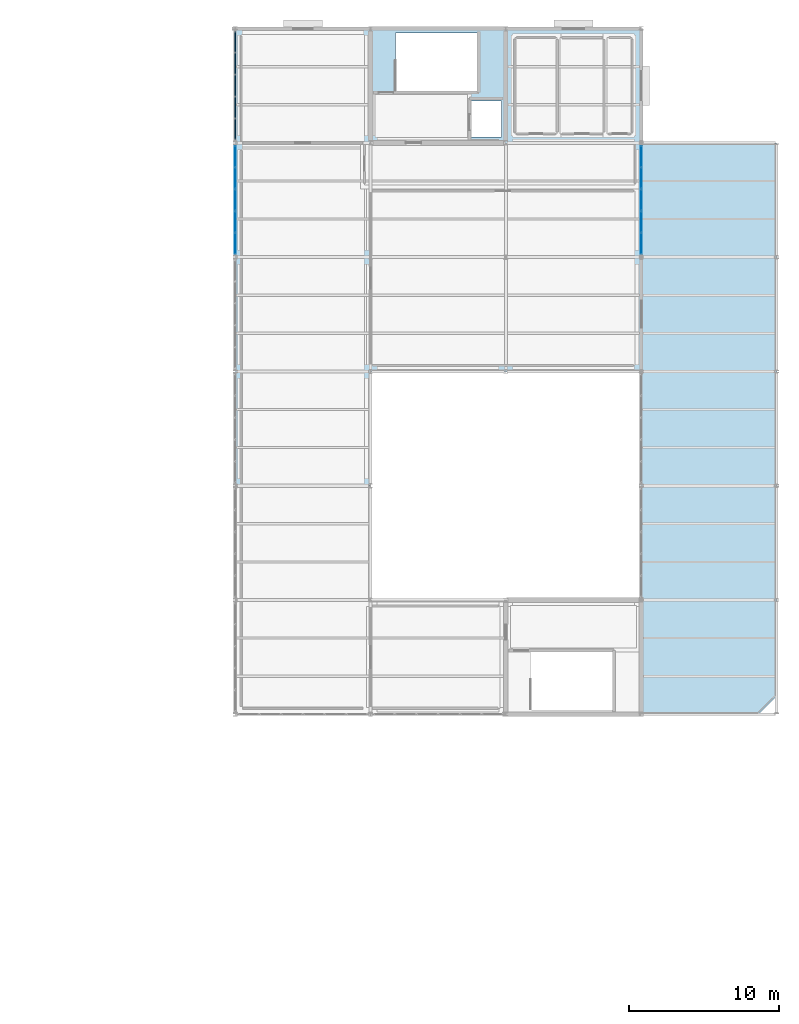
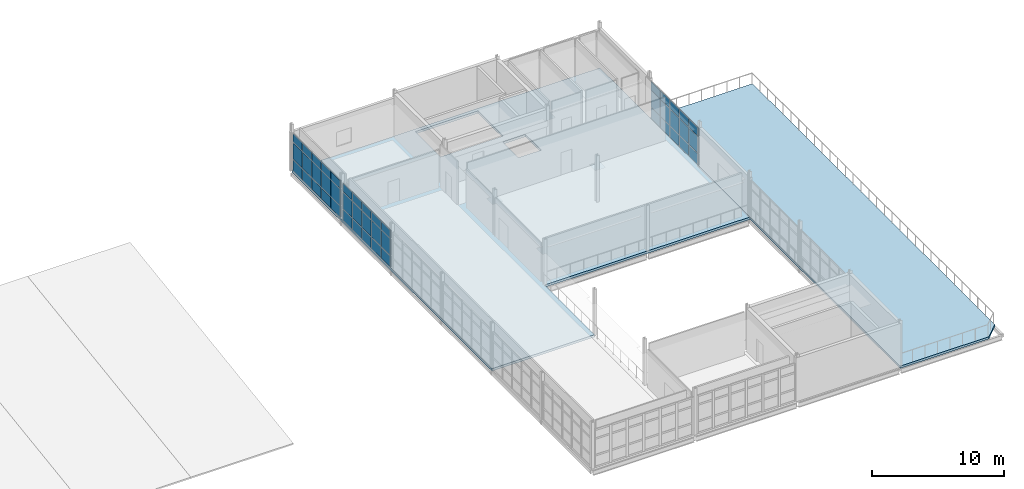
# One storey, part 36 of 48: 45 plates, 2 slabs, 3 elements without a shape of their own.
"""IFC4 building model written with IfcOpenShell, lengths in metres."""

import ifcopenshell
import ifcopenshell.guid

model = None  # the IFC model being written
_history = None  # IfcOwnerHistory: only IFC2X3 demands one
_inside = {}  # id of a spatial element -> (the spatial element, [elements in it])
_under = {}  # id of a project, library or spatial element -> (it, [spatial elements below it])
_declared = {}  # id of a project -> (the project, [libraries it declares])
_typed = {}  # id of a type object -> (the type object, [elements of that type])
_made_of = {}  # id of a material, layer set ... -> (it, [elements and type objects made of it])


def new_model(schema):
    """Start an empty IFC model of exactly this schema.

    Asked for "IFC4X3", IfcOpenShell would pick the latest addendum, in which some entities
    have other attributes; the version numbers below select the first issue.
    IFC2X3 requires an IfcOwnerHistory on every rooted entity: one is made here for all.
    """
    global model, _history
    if schema == "IFC4X3":
        model = ifcopenshell.file(schema_version=(4, 3, 0, 0))
    else:
        model = ifcopenshell.file(schema=schema)
    _inside.clear()
    _under.clear()
    _declared.clear()
    _typed.clear()
    _made_of.clear()
    _history = None
    if model.schema == "IFC2X3":
        org = make("IfcOrganization", Name="unknown")
        user = make(
            "IfcPersonAndOrganization",
            ThePerson=make("IfcPerson", FamilyName="unknown"),
            TheOrganization=org,
        )
        app = make(
            "IfcApplication",
            ApplicationDeveloper=org,
            Version="unknown",
            ApplicationFullName="unknown",
            ApplicationIdentifier="unknown",
        )
        _history = make(
            "IfcOwnerHistory",
            OwningUser=user,
            OwningApplication=app,
            ChangeAction="ADDED",
            CreationDate=0,
        )
    return model


def make(cls, **values):
    """One entity of the class cls with the attributes given. An attribute that is None is left unset."""
    return model.create_entity(
        cls, **{name: value for name, value in values.items() if value is not None}
    )


def rooted(cls, **values):
    """An entity with a GlobalId (a new one), such as an element, a storey or a relation."""
    return make(cls, GlobalId=ifcopenshell.guid.new(), OwnerHistory=_history, **values)


def si_unit(unit_type, name, prefix=None):
    """IfcSIUnit, for example si_unit("LENGTHUNIT", "METRE", prefix="MILLI")."""
    return make("IfcSIUnit", UnitType=unit_type, Prefix=prefix, Name=name)


def assignment(units):
    """IfcUnitAssignment: the units of a project."""
    return None if units is None else make("IfcUnitAssignment", Units=units)


def point(xyz):
    """IfcCartesianPoint."""
    return None if xyz is None else make("IfcCartesianPoint", Coordinates=xyz)


def direction(xyz):
    """IfcDirection."""
    return None if xyz is None else make("IfcDirection", DirectionRatios=xyz)


def frame(location, z_axis=None, x_axis=None):
    """IfcAxis2Placement3D, a coordinate frame: its origin and axes. An axis left out is left unset."""
    return make(
        "IfcAxis2Placement3D",
        Location=point(location),
        Axis=direction(z_axis),
        RefDirection=direction(x_axis),
    )


def frame_2d(location, x_axis=None):
    """IfcAxis2Placement2D, a coordinate frame in the plane: its origin and x axis."""
    return make(
        "IfcAxis2Placement2D", Location=point(location), RefDirection=direction(x_axis)
    )


def origin():
    """The frame at (0, 0, 0) with its axes left unset."""
    return frame((0.0, 0.0, 0.0))


def origin_2d():
    """The frame at (0, 0) in the plane with its x axis left unset."""
    return frame_2d((0.0, 0.0))


def place(relative_to, where):
    """IfcLocalPlacement: puts the frame where relative to a parent placement (None: the world)."""
    return make(
        "IfcLocalPlacement", PlacementRelTo=relative_to, RelativePlacement=where
    )


def context(
    kind, dimensions, precision=None, world=None, true_north=None, identifier=None
):
    """IfcGeometricRepresentationContext, for example the 3D "Model" context."""
    return make(
        "IfcGeometricRepresentationContext",
        ContextIdentifier=identifier,
        ContextType=kind,
        CoordinateSpaceDimension=dimensions,
        Precision=precision,
        WorldCoordinateSystem=world,
        TrueNorth=true_north,
    )


def subcontext(parent, identifier, kind, view, scale=None):
    """IfcGeometricRepresentationSubContext, for example "Body" below "Model"."""
    return make(
        "IfcGeometricRepresentationSubContext",
        ContextIdentifier=identifier,
        ContextType=kind,
        ParentContext=parent,
        TargetScale=scale,
        TargetView=view,
    )


def project(units=None, contexts=None):
    """IfcProject with its units and contexts."""
    return rooted(
        "IfcProject",
        Name="project",
        RepresentationContexts=contexts,
        UnitsInContext=assignment(units),
    )


def spatial(cls, under=None, at=None, **own):
    """A site, building, storey or space (cls), placed at a placement, below another one or the project."""
    s = rooted(cls, ObjectPlacement=at, **own)
    if under is not None:
        _under.setdefault(under.id(), (under, []))[1].append(s)
    return s


def polyline(points):
    """IfcPolyline through the points."""
    return make("IfcPolyline", Points=[point(p) for p in points])


def profile(cls, at=None, kind="AREA", **sizes):
    """A parametric profile (cls). Its sizes go by their IFC names, for example OverallWidth=200.0."""
    return make(cls, ProfileType=kind, Position=at, **sizes)


def rectangle(**sizes):
    """IfcRectangleProfileDef."""
    return profile("IfcRectangleProfileDef", **sizes)


def outline(outer, holes=None, kind="AREA"):
    """IfcArbitraryClosedProfileDef: a profile drawn as a closed curve; with holes, ...WithVoids."""
    if holes is None:
        return make("IfcArbitraryClosedProfileDef", ProfileType=kind, OuterCurve=outer)
    return make(
        "IfcArbitraryProfileDefWithVoids",
        ProfileType=kind,
        OuterCurve=outer,
        InnerCurves=holes,
    )


def extrude(swept, where, along, depth):
    """IfcExtrudedAreaSolid: the profile swept, set in the frame where, extruded along a direction by depth."""
    return make(
        "IfcExtrudedAreaSolid",
        SweptArea=swept,
        Position=where,
        ExtrudedDirection=direction(along),
        Depth=depth,
    )


def shape(context_of_items, identifier, shape_type, items):
    """IfcShapeRepresentation: the items that make up one representation, for example the "Body"."""
    return make(
        "IfcShapeRepresentation",
        ContextOfItems=context_of_items,
        RepresentationIdentifier=identifier,
        RepresentationType=shape_type,
        Items=items,
    )


def material(Name=None, Category=None):
    """IfcMaterial."""
    return make("IfcMaterial", Name=Name, Category=Category)


def layer(
    of_material, thickness, ventilated=None, Name=None, Category=None, Priority=None
):
    """IfcMaterialLayer: one layer of a wall or slab, of a material (None: an air gap)."""
    return make(
        "IfcMaterialLayer",
        Material=of_material,
        LayerThickness=thickness,
        IsVentilated=ventilated,
        Name=Name,
        Category=Category,
        Priority=Priority,
    )


def layer_set(layers, Name=None):
    """IfcMaterialLayerSet."""
    return make("IfcMaterialLayerSet", MaterialLayers=layers, LayerSetName=Name)


def made_of(thing, what):
    """Note that an element or type object is made of a material, layer set ...; save() writes the relation."""
    if what is not None:
        _made_of.setdefault(what.id(), (what, []))[1].append(thing)
    return thing


def type_object(cls, material=None, **own):
    """A type object (cls), such as IfcWallType, which elements share."""
    return made_of(rooted(cls, **own), material)


def element(
    cls,
    number,
    at=None,
    inside=None,
    cuts=None,
    type_object=None,
    material=None,
    context=None,
    identifier="Body",
    shape_type=None,
    held_by="IfcProductDefinitionShape",
    body=None,
    shapes=None,
    **own,
):
    """One element of the class cls, such as IfcWall. Its Tag is "e" and its number.

    at: its placement. inside: the storey or other place that contains it. cuts: it is an
    opening in that element (IfcRelVoidsElement). A single representation is given by context,
    identifier, shape_type and body (its items); several are given by shapes. held_by: the class
    of the entity that holds the representations. save() writes the other relations.
    """
    e = rooted(cls, Tag="e%d" % number, ObjectPlacement=at, **own)
    if body is not None:
        shapes = [shape(context, identifier, shape_type, body)]
    if shapes is not None:
        e.Representation = make(held_by, Representations=shapes)
    if inside is not None:
        _inside.setdefault(inside.id(), (inside, []))[1].append(e)
    if cuts is not None:
        rooted(
            "IfcRelVoidsElement", RelatingBuildingElement=cuts, RelatedOpeningElement=e
        )
    if type_object is not None:
        _typed.setdefault(type_object.id(), (type_object, []))[1].append(e)
    return made_of(e, material)


def aggregate(whole, parts):
    """IfcRelAggregates: a whole, such as a stair, and the parts it consists of."""
    return rooted("IfcRelAggregates", RelatingObject=whole, RelatedObjects=parts)


def save(model, path):
    """Write the relations noted so far, then the file.

    IfcRelAggregates (storeys below a building ...), IfcRelContainedInSpatialStructure (elements
    in a storey), IfcRelDefinesByType, IfcRelAssociatesMaterial and IfcRelDeclares: one each for
    every whole, place, type object, material and project.
    """
    for whole, parts in _under.values():
        aggregate(whole, parts)
    for where, things in _inside.values():
        rooted(
            "IfcRelContainedInSpatialStructure",
            RelatedElements=things,
            RelatingStructure=where,
        )
    for kind, things in _typed.values():
        rooted("IfcRelDefinesByType", RelatedObjects=things, RelatingType=kind)
    for what, things in _made_of.values():
        rooted("IfcRelAssociatesMaterial", RelatedObjects=things, RelatingMaterial=what)
    for by, libraries in _declared.values():
        rooted("IfcRelDeclares", RelatingContext=by, RelatedDefinitions=libraries)
    model.write(path)


model = new_model("IFC4")

# Units and contexts
model_context = context("Model", 3, precision=1e-05, world=origin(), true_north=direction((0.0, 1.0)))
body_context = subcontext(model_context, "Body", "Model", "MODEL_VIEW")
ifc_project = project(units=[si_unit("LENGTHUNIT", "METRE"), si_unit("AREAUNIT", "SQUARE_METRE"), si_unit("VOLUMEUNIT", "CUBIC_METRE"), si_unit("PLANEANGLEUNIT", "RADIAN"), si_unit("MASSUNIT", "GRAM", prefix="KILO")], contexts=[model_context])

# Site, building, storey
site_placement = place(None, origin())
site = spatial("IfcSite", under=ifc_project, at=site_placement, CompositionType="ELEMENT")
building_placement = place(site_placement, origin())
building = spatial("IfcBuilding", under=site, at=building_placement, Name="Caisbarro Railhouse Central Library", CompositionType="ELEMENT")
storey_placement = place(building_placement, frame((0.0, 0.0, 18.0)))
storey = spatial("IfcBuildingStorey", under=building, at=storey_placement, Name="L04", CompositionType="ELEMENT", Elevation=18.0)

# Curtain wall, plates
ifc_material_1 = material(Name="Anodised architectural aluminium", Category="aluminium")
curtain_wall_type_1 = type_object("IfcCurtainWallType", Name="CW-CW02", PredefinedType="NOTDEFINED", material=ifc_material_1)
curtain_wall_1_placement = place(storey_placement, origin())
curtain_wall_1 = element("IfcCurtainWall", 1, at=curtain_wall_1_placement, inside=storey, type_object=curtain_wall_type_1, Name="CW02 curtain wall L04 #159", PredefinedType="NOTDEFINED")
ifc_material_2 = material(Name="Double low-e laminated solar-control glass", Category="glass")
ifc_layer_1 = layer(ifc_material_2, 0.05810546875, Name="Double low-e laminated solar-control glass")
ifc_layer_set_1 = layer_set([ifc_layer_1], Name="Double low-e laminated solar-control glass")
plate_type_1 = type_object("IfcPlateType", Name="CWP-CP58", PredefinedType="CURTAIN_PANEL", material=ifc_layer_set_1)
plate_1_placement = place(storey_placement, frame((117.0, 99.704345703125, 0.0751953125), z_axis=(0.0, 0.0, 1.0), x_axis=(0.0, 1.0, 0.0)))
plate_1 = element("IfcPlate", 2, at=plate_1_placement, type_object=plate_type_1, Name="CW02 panel 1.1", PredefinedType="CURTAIN_PANEL", context=body_context, shape_type="SweptSolid", body=[
    extrude(rectangle(XDim=1.3583984375, YDim=0.05810546875, at=origin_2d()), origin(), (0.0, 0.0, 1.0), 1.007568359375),
])
plate_2_placement = place(storey_placement, frame((117.0, 99.704345703125, 1.15771484375), z_axis=(0.0, 0.0, 1.0), x_axis=(0.0, 1.0, 0.0)))
plate_2 = element("IfcPlate", 3, at=plate_2_placement, type_object=plate_type_1, Name="CW02 panel 1.2", PredefinedType="CURTAIN_PANEL", context=body_context, shape_type="SweptSolid", body=[
    extrude(rectangle(XDim=1.3583984375, YDim=0.05810546875, at=origin_2d()), origin(), (0.0, 0.0, 1.0), 1.514892578125),
])
plate_3_placement = place(storey_placement, frame((117.0, 99.704345703125, 2.74755859375), z_axis=(0.0, 0.0, 1.0), x_axis=(0.0, 1.0, 0.0)))
plate_3 = element("IfcPlate", 4, at=plate_3_placement, type_object=plate_type_1, Name="CW02 panel 1.3", PredefinedType="CURTAIN_PANEL", context=body_context, shape_type="SweptSolid", body=[
    extrude(rectangle(XDim=1.3583984375, YDim=0.05810546875, at=origin_2d()), origin(), (0.0, 0.0, 1.0), 0.737548828125),
])
plate_4_placement = place(storey_placement, frame((117.0, 101.14404296875, 0.0751953125), z_axis=(0.0, 0.0, 1.0), x_axis=(0.0, 1.0, 0.0)))
plate_4 = element("IfcPlate", 5, at=plate_4_placement, type_object=plate_type_1, Name="CW02 panel 2.1", PredefinedType="CURTAIN_PANEL", context=body_context, shape_type="SweptSolid", body=[
    extrude(rectangle(XDim=1.39111328125, YDim=0.05810546875, at=origin_2d()), origin(), (0.0, 0.0, 1.0), 1.007568359375),
])
plate_5_placement = place(storey_placement, frame((117.0, 101.14404296875, 1.15771484375), z_axis=(0.0, 0.0, 1.0), x_axis=(0.0, 1.0, 0.0)))
plate_5 = element("IfcPlate", 6, at=plate_5_placement, type_object=plate_type_1, Name="CW02 panel 2.2", PredefinedType="CURTAIN_PANEL", context=body_context, shape_type="SweptSolid", body=[
    extrude(rectangle(XDim=1.39111328125, YDim=0.05810546875, at=origin_2d()), origin(), (0.0, 0.0, 1.0), 1.514892578125),
])
plate_6_placement = place(storey_placement, frame((117.0, 101.14404296875, 2.74755859375), z_axis=(0.0, 0.0, 1.0), x_axis=(0.0, 1.0, 0.0)))
plate_6 = element("IfcPlate", 7, at=plate_6_placement, type_object=plate_type_1, Name="CW02 panel 2.3", PredefinedType="CURTAIN_PANEL", context=body_context, shape_type="SweptSolid", body=[
    extrude(rectangle(XDim=1.39111328125, YDim=0.05810546875, at=origin_2d()), origin(), (0.0, 0.0, 1.0), 0.737548828125),
])
plate_7_placement = place(storey_placement, frame((117.0, 102.60009765625, 0.0751953125), z_axis=(0.0, 0.0, 1.0), x_axis=(0.0, 1.0, 0.0)))
plate_7 = element("IfcPlate", 8, at=plate_7_placement, type_object=plate_type_1, Name="CW02 panel 3.1", PredefinedType="CURTAIN_PANEL", context=body_context, shape_type="SweptSolid", body=[
    extrude(rectangle(XDim=1.39111328125, YDim=0.05810546875, at=origin_2d()), origin(), (0.0, 0.0, 1.0), 1.007568359375),
])
plate_8_placement = place(storey_placement, frame((117.0, 102.60009765625, 1.15771484375), z_axis=(0.0, 0.0, 1.0), x_axis=(0.0, 1.0, 0.0)))
plate_8 = element("IfcPlate", 9, at=plate_8_placement, type_object=plate_type_1, Name="CW02 panel 3.2", PredefinedType="CURTAIN_PANEL", context=body_context, shape_type="SweptSolid", body=[
    extrude(rectangle(XDim=1.39111328125, YDim=0.05810546875, at=origin_2d()), origin(), (0.0, 0.0, 1.0), 1.514892578125),
])
plate_9_placement = place(storey_placement, frame((117.0, 102.60009765625, 2.74755859375), z_axis=(0.0, 0.0, 1.0), x_axis=(0.0, 1.0, 0.0)))
plate_9 = element("IfcPlate", 10, at=plate_9_placement, type_object=plate_type_1, Name="CW02 panel 3.3", PredefinedType="CURTAIN_PANEL", context=body_context, shape_type="SweptSolid", body=[
    extrude(rectangle(XDim=1.39111328125, YDim=0.05810546875, at=origin_2d()), origin(), (0.0, 0.0, 1.0), 0.737548828125),
])
plate_10_placement = place(storey_placement, frame((117.0, 104.055908203125, 0.0751953125), z_axis=(0.0, 0.0, 1.0), x_axis=(0.0, 1.0, 0.0)))
plate_10 = element("IfcPlate", 11, at=plate_10_placement, type_object=plate_type_1, Name="CW02 panel 4.1", PredefinedType="CURTAIN_PANEL", context=body_context, shape_type="SweptSolid", body=[
    extrude(rectangle(XDim=1.39111328125, YDim=0.05810546875, at=origin_2d()), origin(), (0.0, 0.0, 1.0), 1.007568359375),
])
plate_11_placement = place(storey_placement, frame((117.0, 104.055908203125, 1.15771484375), z_axis=(0.0, 0.0, 1.0), x_axis=(0.0, 1.0, 0.0)))
plate_11 = element("IfcPlate", 12, at=plate_11_placement, type_object=plate_type_1, Name="CW02 panel 4.2", PredefinedType="CURTAIN_PANEL", context=body_context, shape_type="SweptSolid", body=[
    extrude(rectangle(XDim=1.39111328125, YDim=0.05810546875, at=origin_2d()), origin(), (0.0, 0.0, 1.0), 1.514892578125),
])
plate_12_placement = place(storey_placement, frame((117.0, 104.055908203125, 2.74755859375), z_axis=(0.0, 0.0, 1.0), x_axis=(0.0, 1.0, 0.0)))
plate_12 = element("IfcPlate", 13, at=plate_12_placement, type_object=plate_type_1, Name="CW02 panel 4.3", PredefinedType="CURTAIN_PANEL", context=body_context, shape_type="SweptSolid", body=[
    extrude(rectangle(XDim=1.39111328125, YDim=0.05810546875, at=origin_2d()), origin(), (0.0, 0.0, 1.0), 0.737548828125),
])
plate_13_placement = place(storey_placement, frame((117.0, 105.495849609375, 0.0751953125), z_axis=(0.0, 0.0, 1.0), x_axis=(0.0, 1.0, 0.0)))
plate_13 = element("IfcPlate", 14, at=plate_13_placement, type_object=plate_type_1, Name="CW02 panel 5.1", PredefinedType="CURTAIN_PANEL", context=body_context, shape_type="SweptSolid", body=[
    extrude(rectangle(XDim=1.3583984375, YDim=0.05810546875, at=origin_2d()), origin(), (0.0, 0.0, 1.0), 1.007568359375),
])
plate_14_placement = place(storey_placement, frame((117.0, 105.495849609375, 1.15771484375), z_axis=(0.0, 0.0, 1.0), x_axis=(0.0, 1.0, 0.0)))
plate_14 = element("IfcPlate", 15, at=plate_14_placement, type_object=plate_type_1, Name="CW02 panel 5.2", PredefinedType="CURTAIN_PANEL", context=body_context, shape_type="SweptSolid", body=[
    extrude(rectangle(XDim=1.3583984375, YDim=0.05810546875, at=origin_2d()), origin(), (0.0, 0.0, 1.0), 1.514892578125),
])
plate_15_placement = place(storey_placement, frame((117.0, 105.495849609375, 2.74755859375), z_axis=(0.0, 0.0, 1.0), x_axis=(0.0, 1.0, 0.0)))
plate_15 = element("IfcPlate", 16, at=plate_15_placement, type_object=plate_type_1, Name="CW02 panel 5.3", PredefinedType="CURTAIN_PANEL", context=body_context, shape_type="SweptSolid", body=[
    extrude(rectangle(XDim=1.3583984375, YDim=0.05810546875, at=origin_2d()), origin(), (0.0, 0.0, 1.0), 0.737548828125),
])
aggregate(curtain_wall_1, [plate_1, plate_2, plate_3, plate_4, plate_5, plate_6, plate_7, plate_8, plate_9, plate_10, plate_11, plate_12, plate_13, plate_14, plate_15])

curtain_wall_type_2 = type_object("IfcCurtainWallType", Name="CW-CW03", PredefinedType="NOTDEFINED", material=ifc_material_1)
curtain_wall_2_placement = place(storey_placement, origin())
curtain_wall_2 = element("IfcCurtainWall", 17, at=curtain_wall_2_placement, inside=storey, type_object=curtain_wall_type_2, Name="CW03 curtain wall L04 #165", PredefinedType="NOTDEFINED")
plate_16_placement = place(storey_placement, frame((144.0, 99.704345703125, 0.06494140625), z_axis=(0.0, 0.0, 1.0), x_axis=(0.0, 1.0, 0.0)))
plate_16 = element("IfcPlate", 18, at=plate_16_placement, type_object=plate_type_1, Name="CW03 panel 1.1", PredefinedType="CURTAIN_PANEL", context=body_context, shape_type="SweptSolid", body=[
    extrude(rectangle(XDim=1.3583984375, YDim=0.05810546875, at=origin_2d()), origin(), (0.0, 0.0, 1.0), 1.0224609375),
])
plate_17_placement = place(storey_placement, frame((144.0, 99.704345703125, 1.152587890625), z_axis=(0.0, 0.0, 1.0), x_axis=(0.0, 1.0, 0.0)))
plate_17 = element("IfcPlate", 19, at=plate_17_placement, type_object=plate_type_1, Name="CW03 panel 1.2", PredefinedType="CURTAIN_PANEL", context=body_context, shape_type="SweptSolid", body=[
    extrude(rectangle(XDim=1.3583984375, YDim=0.05810546875, at=origin_2d()), origin(), (0.0, 0.0, 1.0), 1.52490234375),
])
plate_18_placement = place(storey_placement, frame((144.0, 99.704345703125, 2.742431640625), z_axis=(0.0, 0.0, 1.0), x_axis=(0.0, 1.0, 0.0)))
plate_18 = element("IfcPlate", 20, at=plate_18_placement, type_object=plate_type_1, Name="CW03 panel 1.3", PredefinedType="CURTAIN_PANEL", context=body_context, shape_type="SweptSolid", body=[
    extrude(rectangle(XDim=1.3583984375, YDim=0.05810546875, at=origin_2d()), origin(), (0.0, 0.0, 1.0), 0.75244140625),
])
plate_19_placement = place(storey_placement, frame((144.0, 101.14404296875, 0.06494140625), z_axis=(0.0, 0.0, 1.0), x_axis=(0.0, 1.0, 0.0)))
plate_19 = element("IfcPlate", 21, at=plate_19_placement, type_object=plate_type_1, Name="CW03 panel 2.1", PredefinedType="CURTAIN_PANEL", context=body_context, shape_type="SweptSolid", body=[
    extrude(rectangle(XDim=1.39111328125, YDim=0.05810546875, at=origin_2d()), origin(), (0.0, 0.0, 1.0), 1.0224609375),
])
plate_20_placement = place(storey_placement, frame((144.0, 101.14404296875, 1.152587890625), z_axis=(0.0, 0.0, 1.0), x_axis=(0.0, 1.0, 0.0)))
plate_20 = element("IfcPlate", 22, at=plate_20_placement, type_object=plate_type_1, Name="CW03 panel 2.2", PredefinedType="CURTAIN_PANEL", context=body_context, shape_type="SweptSolid", body=[
    extrude(rectangle(XDim=1.39111328125, YDim=0.05810546875, at=origin_2d()), origin(), (0.0, 0.0, 1.0), 1.52490234375),
])
plate_21_placement = place(storey_placement, frame((144.0, 101.14404296875, 2.742431640625), z_axis=(0.0, 0.0, 1.0), x_axis=(0.0, 1.0, 0.0)))
plate_21 = element("IfcPlate", 23, at=plate_21_placement, type_object=plate_type_1, Name="CW03 panel 2.3", PredefinedType="CURTAIN_PANEL", context=body_context, shape_type="SweptSolid", body=[
    extrude(rectangle(XDim=1.39111328125, YDim=0.05810546875, at=origin_2d()), origin(), (0.0, 0.0, 1.0), 0.75244140625),
])
plate_22_placement = place(storey_placement, frame((144.0, 102.60009765625, 0.06494140625), z_axis=(0.0, 0.0, 1.0), x_axis=(0.0, 1.0, 0.0)))
plate_22 = element("IfcPlate", 24, at=plate_22_placement, type_object=plate_type_1, Name="CW03 panel 3.1", PredefinedType="CURTAIN_PANEL", context=body_context, shape_type="SweptSolid", body=[
    extrude(rectangle(XDim=1.39111328125, YDim=0.05810546875, at=origin_2d()), origin(), (0.0, 0.0, 1.0), 1.0224609375),
])
plate_23_placement = place(storey_placement, frame((144.0, 102.60009765625, 1.152587890625), z_axis=(0.0, 0.0, 1.0), x_axis=(0.0, 1.0, 0.0)))
plate_23 = element("IfcPlate", 25, at=plate_23_placement, type_object=plate_type_1, Name="CW03 panel 3.2", PredefinedType="CURTAIN_PANEL", context=body_context, shape_type="SweptSolid", body=[
    extrude(rectangle(XDim=1.39111328125, YDim=0.05810546875, at=origin_2d()), origin(), (0.0, 0.0, 1.0), 1.52490234375),
])
plate_24_placement = place(storey_placement, frame((144.0, 102.60009765625, 2.742431640625), z_axis=(0.0, 0.0, 1.0), x_axis=(0.0, 1.0, 0.0)))
plate_24 = element("IfcPlate", 26, at=plate_24_placement, type_object=plate_type_1, Name="CW03 panel 3.3", PredefinedType="CURTAIN_PANEL", context=body_context, shape_type="SweptSolid", body=[
    extrude(rectangle(XDim=1.39111328125, YDim=0.05810546875, at=origin_2d()), origin(), (0.0, 0.0, 1.0), 0.75244140625),
])
plate_25_placement = place(storey_placement, frame((144.0, 104.055908203125, 0.06494140625), z_axis=(0.0, 0.0, 1.0), x_axis=(0.0, 1.0, 0.0)))
plate_25 = element("IfcPlate", 27, at=plate_25_placement, type_object=plate_type_1, Name="CW03 panel 4.1", PredefinedType="CURTAIN_PANEL", context=body_context, shape_type="SweptSolid", body=[
    extrude(rectangle(XDim=1.39111328125, YDim=0.05810546875, at=origin_2d()), origin(), (0.0, 0.0, 1.0), 1.0224609375),
])
plate_26_placement = place(storey_placement, frame((144.0, 104.055908203125, 1.152587890625), z_axis=(0.0, 0.0, 1.0), x_axis=(0.0, 1.0, 0.0)))
plate_26 = element("IfcPlate", 28, at=plate_26_placement, type_object=plate_type_1, Name="CW03 panel 4.2", PredefinedType="CURTAIN_PANEL", context=body_context, shape_type="SweptSolid", body=[
    extrude(rectangle(XDim=1.39111328125, YDim=0.05810546875, at=origin_2d()), origin(), (0.0, 0.0, 1.0), 1.52490234375),
])
plate_27_placement = place(storey_placement, frame((144.0, 104.055908203125, 2.742431640625), z_axis=(0.0, 0.0, 1.0), x_axis=(0.0, 1.0, 0.0)))
plate_27 = element("IfcPlate", 29, at=plate_27_placement, type_object=plate_type_1, Name="CW03 panel 4.3", PredefinedType="CURTAIN_PANEL", context=body_context, shape_type="SweptSolid", body=[
    extrude(rectangle(XDim=1.39111328125, YDim=0.05810546875, at=origin_2d()), origin(), (0.0, 0.0, 1.0), 0.75244140625),
])
plate_28_placement = place(storey_placement, frame((144.0, 105.495849609375, 0.06494140625), z_axis=(0.0, 0.0, 1.0), x_axis=(0.0, 1.0, 0.0)))
plate_28 = element("IfcPlate", 30, at=plate_28_placement, type_object=plate_type_1, Name="CW03 panel 5.1", PredefinedType="CURTAIN_PANEL", context=body_context, shape_type="SweptSolid", body=[
    extrude(rectangle(XDim=1.3583984375, YDim=0.05810546875, at=origin_2d()), origin(), (0.0, 0.0, 1.0), 1.0224609375),
])
plate_29_placement = place(storey_placement, frame((144.0, 105.495849609375, 1.152587890625), z_axis=(0.0, 0.0, 1.0), x_axis=(0.0, 1.0, 0.0)))
plate_29 = element("IfcPlate", 31, at=plate_29_placement, type_object=plate_type_1, Name="CW03 panel 5.2", PredefinedType="CURTAIN_PANEL", context=body_context, shape_type="SweptSolid", body=[
    extrude(rectangle(XDim=1.3583984375, YDim=0.05810546875, at=origin_2d()), origin(), (0.0, 0.0, 1.0), 1.52490234375),
])
plate_30_placement = place(storey_placement, frame((144.0, 105.495849609375, 2.742431640625), z_axis=(0.0, 0.0, 1.0), x_axis=(0.0, 1.0, 0.0)))
plate_30 = element("IfcPlate", 32, at=plate_30_placement, type_object=plate_type_1, Name="CW03 panel 5.3", PredefinedType="CURTAIN_PANEL", context=body_context, shape_type="SweptSolid", body=[
    extrude(rectangle(XDim=1.3583984375, YDim=0.05810546875, at=origin_2d()), origin(), (0.0, 0.0, 1.0), 0.75244140625),
])
aggregate(curtain_wall_2, [plate_16, plate_17, plate_18, plate_19, plate_20, plate_21, plate_22, plate_23, plate_24, plate_25, plate_26, plate_27, plate_28, plate_29, plate_30])

curtain_wall_3_placement = place(storey_placement, origin())
curtain_wall_3 = element("IfcCurtainWall", 33, at=curtain_wall_3_placement, inside=storey, type_object=curtain_wall_type_1, Name="CW02 curtain wall L04 #160", PredefinedType="NOTDEFINED")
ifc_layer_2 = layer(ifc_material_2, 0.068115234375, Name="Double low-e laminated solar-control glass")
ifc_layer_set_2 = layer_set([ifc_layer_2], Name="Double low-e laminated solar-control glass")
plate_type_2 = type_object("IfcPlateType", Name="CWP-CP68", PredefinedType="CURTAIN_PANEL", material=ifc_layer_set_2)
plate_31_placement = place(storey_placement, frame((117.0, 107.30419921875, 0.0751953125), z_axis=(0.0, 0.0, 1.0), x_axis=(0.0, 1.0, 0.0)))
plate_31 = element("IfcPlate", 34, at=plate_31_placement, type_object=plate_type_2, Name="CW02 panel 1.1", PredefinedType="CURTAIN_PANEL", context=body_context, shape_type="SweptSolid", body=[
    extrude(rectangle(XDim=1.3583984375, YDim=0.068115234375, at=origin_2d()), origin(), (0.0, 0.0, 1.0), 1.007568359375),
])
plate_32_placement = place(storey_placement, frame((117.0, 107.30419921875, 1.15771484375), z_axis=(0.0, 0.0, 1.0), x_axis=(0.0, 1.0, 0.0)))
plate_32 = element("IfcPlate", 35, at=plate_32_placement, type_object=plate_type_2, Name="CW02 panel 1.2", PredefinedType="CURTAIN_PANEL", context=body_context, shape_type="SweptSolid", body=[
    extrude(rectangle(XDim=1.3583984375, YDim=0.068115234375, at=origin_2d()), origin(), (0.0, 0.0, 1.0), 1.514892578125),
])
plate_33_placement = place(storey_placement, frame((117.0, 107.30419921875, 2.74755859375), z_axis=(0.0, 0.0, 1.0), x_axis=(0.0, 1.0, 0.0)))
plate_33 = element("IfcPlate", 36, at=plate_33_placement, type_object=plate_type_2, Name="CW02 panel 1.3", PredefinedType="CURTAIN_PANEL", context=body_context, shape_type="SweptSolid", body=[
    extrude(rectangle(XDim=1.3583984375, YDim=0.068115234375, at=origin_2d()), origin(), (0.0, 0.0, 1.0), 0.737548828125),
])
plate_34_placement = place(storey_placement, frame((117.0, 108.743896484375, 0.0751953125), z_axis=(0.0, 0.0, 1.0), x_axis=(0.0, 1.0, 0.0)))
plate_34 = element("IfcPlate", 37, at=plate_34_placement, type_object=plate_type_2, Name="CW02 panel 2.1", PredefinedType="CURTAIN_PANEL", context=body_context, shape_type="SweptSolid", body=[
    extrude(rectangle(XDim=1.39111328125, YDim=0.068115234375, at=origin_2d()), origin(), (0.0, 0.0, 1.0), 1.007568359375),
])
plate_35_placement = place(storey_placement, frame((117.0, 108.743896484375, 1.15771484375), z_axis=(0.0, 0.0, 1.0), x_axis=(0.0, 1.0, 0.0)))
plate_35 = element("IfcPlate", 38, at=plate_35_placement, type_object=plate_type_2, Name="CW02 panel 2.2", PredefinedType="CURTAIN_PANEL", context=body_context, shape_type="SweptSolid", body=[
    extrude(rectangle(XDim=1.39111328125, YDim=0.068115234375, at=origin_2d()), origin(), (0.0, 0.0, 1.0), 1.514892578125),
])
plate_36_placement = place(storey_placement, frame((117.0, 108.743896484375, 2.74755859375), z_axis=(0.0, 0.0, 1.0), x_axis=(0.0, 1.0, 0.0)))
plate_36 = element("IfcPlate", 39, at=plate_36_placement, type_object=plate_type_2, Name="CW02 panel 2.3", PredefinedType="CURTAIN_PANEL", context=body_context, shape_type="SweptSolid", body=[
    extrude(rectangle(XDim=1.39111328125, YDim=0.068115234375, at=origin_2d()), origin(), (0.0, 0.0, 1.0), 0.737548828125),
])
plate_37_placement = place(storey_placement, frame((117.0, 110.199951171875, 0.0751953125), z_axis=(0.0, 0.0, 1.0), x_axis=(0.0, 1.0, 0.0)))
plate_37 = element("IfcPlate", 40, at=plate_37_placement, type_object=plate_type_2, Name="CW02 panel 3.1", PredefinedType="CURTAIN_PANEL", context=body_context, shape_type="SweptSolid", body=[
    extrude(rectangle(XDim=1.39111328125, YDim=0.068115234375, at=origin_2d()), origin(), (0.0, 0.0, 1.0), 1.007568359375),
])
plate_38_placement = place(storey_placement, frame((117.0, 110.199951171875, 1.15771484375), z_axis=(0.0, 0.0, 1.0), x_axis=(0.0, 1.0, 0.0)))
plate_38 = element("IfcPlate", 41, at=plate_38_placement, type_object=plate_type_2, Name="CW02 panel 3.2", PredefinedType="CURTAIN_PANEL", context=body_context, shape_type="SweptSolid", body=[
    extrude(rectangle(XDim=1.39111328125, YDim=0.068115234375, at=origin_2d()), origin(), (0.0, 0.0, 1.0), 1.514892578125),
])
plate_39_placement = place(storey_placement, frame((117.0, 110.199951171875, 2.74755859375), z_axis=(0.0, 0.0, 1.0), x_axis=(0.0, 1.0, 0.0)))
plate_39 = element("IfcPlate", 42, at=plate_39_placement, type_object=plate_type_2, Name="CW02 panel 3.3", PredefinedType="CURTAIN_PANEL", context=body_context, shape_type="SweptSolid", body=[
    extrude(rectangle(XDim=1.39111328125, YDim=0.068115234375, at=origin_2d()), origin(), (0.0, 0.0, 1.0), 0.737548828125),
])
plate_40_placement = place(storey_placement, frame((117.0, 111.656005859375, 0.0751953125), z_axis=(0.0, 0.0, 1.0), x_axis=(0.0, 1.0, 0.0)))
plate_40 = element("IfcPlate", 43, at=plate_40_placement, type_object=plate_type_2, Name="CW02 panel 4.1", PredefinedType="CURTAIN_PANEL", context=body_context, shape_type="SweptSolid", body=[
    extrude(rectangle(XDim=1.39111328125, YDim=0.068115234375, at=origin_2d()), origin(), (0.0, 0.0, 1.0), 1.007568359375),
])
plate_41_placement = place(storey_placement, frame((117.0, 111.656005859375, 1.15771484375), z_axis=(0.0, 0.0, 1.0), x_axis=(0.0, 1.0, 0.0)))
plate_41 = element("IfcPlate", 44, at=plate_41_placement, type_object=plate_type_2, Name="CW02 panel 4.2", PredefinedType="CURTAIN_PANEL", context=body_context, shape_type="SweptSolid", body=[
    extrude(rectangle(XDim=1.39111328125, YDim=0.068115234375, at=origin_2d()), origin(), (0.0, 0.0, 1.0), 1.514892578125),
])
plate_42_placement = place(storey_placement, frame((117.0, 111.656005859375, 2.74755859375), z_axis=(0.0, 0.0, 1.0), x_axis=(0.0, 1.0, 0.0)))
plate_42 = element("IfcPlate", 45, at=plate_42_placement, type_object=plate_type_2, Name="CW02 panel 4.3", PredefinedType="CURTAIN_PANEL", context=body_context, shape_type="SweptSolid", body=[
    extrude(rectangle(XDim=1.39111328125, YDim=0.068115234375, at=origin_2d()), origin(), (0.0, 0.0, 1.0), 0.737548828125),
])
plate_43_placement = place(storey_placement, frame((117.0, 113.095703125, 0.0751953125), z_axis=(0.0, 0.0, 1.0), x_axis=(0.0, 1.0, 0.0)))
plate_43 = element("IfcPlate", 46, at=plate_43_placement, type_object=plate_type_2, Name="CW02 panel 5.1", PredefinedType="CURTAIN_PANEL", context=body_context, shape_type="SweptSolid", body=[
    extrude(rectangle(XDim=1.3583984375, YDim=0.068115234375, at=origin_2d()), origin(), (0.0, 0.0, 1.0), 1.007568359375),
])
plate_44_placement = place(storey_placement, frame((117.0, 113.095703125, 1.15771484375), z_axis=(0.0, 0.0, 1.0), x_axis=(0.0, 1.0, 0.0)))
plate_44 = element("IfcPlate", 47, at=plate_44_placement, type_object=plate_type_2, Name="CW02 panel 5.2", PredefinedType="CURTAIN_PANEL", context=body_context, shape_type="SweptSolid", body=[
    extrude(rectangle(XDim=1.3583984375, YDim=0.068115234375, at=origin_2d()), origin(), (0.0, 0.0, 1.0), 1.514892578125),
])
plate_45_placement = place(storey_placement, frame((117.0, 113.095703125, 2.74755859375), z_axis=(0.0, 0.0, 1.0), x_axis=(0.0, 1.0, 0.0)))
plate_45 = element("IfcPlate", 48, at=plate_45_placement, type_object=plate_type_2, Name="CW02 panel 5.3", PredefinedType="CURTAIN_PANEL", context=body_context, shape_type="SweptSolid", body=[
    extrude(rectangle(XDim=1.3583984375, YDim=0.068115234375, at=origin_2d()), origin(), (0.0, 0.0, 1.0), 0.737548828125),
])
aggregate(curtain_wall_3, [plate_31, plate_32, plate_33, plate_34, plate_35, plate_36, plate_37, plate_38, plate_39, plate_40, plate_41, plate_42, plate_43, plate_44, plate_45])

# Slabs
ifc_material_3 = material(Name="Concrete C35", Category="concrete")
ifc_layer_3 = layer(ifc_material_3, 0.219970703125, Name="Concrete C35")
ifc_layer_set_3 = layer_set([ifc_layer_3], Name="Concrete C35")
slab_type_1 = type_object("IfcSlabType", Name="SLB-FL22", PredefinedType="FLOOR", material=ifc_layer_set_3)
slab_1_placement = place(storey_placement, frame((0.0, 0.0, -0.219970703125)))
element("IfcSlab", 49, at=slab_1_placement, inside=storey, type_object=slab_type_1, Name="SF22 structural slab L04 V4.2", PredefinedType="FLOOR", context=body_context, shape_type="SweptSolid", body=[
    extrude(outline(polyline([(117.0, 83.60009765625), (126.0, 83.60009765625), (126.0, 91.199951171875), (144.0, 91.199951171875), (144.0, 83.60009765625), (144.0, 83.60009765625), (144.0, 114.0), (117.0, 114.0), (117.0, 83.60009765625)]), holes=[polyline([(127.64990234375, 109.85009765625), (133.14990234375, 109.85009765625), (133.14990234375, 113.699951171875), (127.64990234375, 113.699951171875), (127.64990234375, 109.85009765625)]), polyline([(132.699951171875, 106.800048828125), (134.699951171875, 106.800048828125), (134.699951171875, 109.199951171875), (132.699951171875, 109.199951171875), (132.699951171875, 106.800048828125)])]), origin(), (0.0, 0.0, 1.0), 0.219970703125),
])
ifc_layer_4 = layer(ifc_material_3, 0.2099609375, Name="Concrete C35")
ifc_layer_set_4 = layer_set([ifc_layer_4], Name="Concrete C35")
slab_type_2 = type_object("IfcSlabType", Name="SLB-TR21", PredefinedType="FLOOR", material=ifc_layer_set_4)
slab_2_placement = place(storey_placement, frame((0.0, 0.0, -0.2099609375)))
element("IfcSlab", 50, at=slab_2_placement, inside=storey, type_object=slab_type_2, Name="Outdoor Reading Terrace Slab TR-L04-A", PredefinedType="FLOOR", context=body_context, shape_type="SweptSolid", body=[
    extrude(outline(polyline([(144.0, 68.39990234375), (151.800048828125, 68.39990234375), (153.0, 69.60009765625), (153.0, 106.39990234375), (144.0, 106.39990234375), (144.0, 68.39990234375)])), origin(), (0.0, 0.0, 1.0), 0.2099609375),
])

save(model, "model.ifc")
